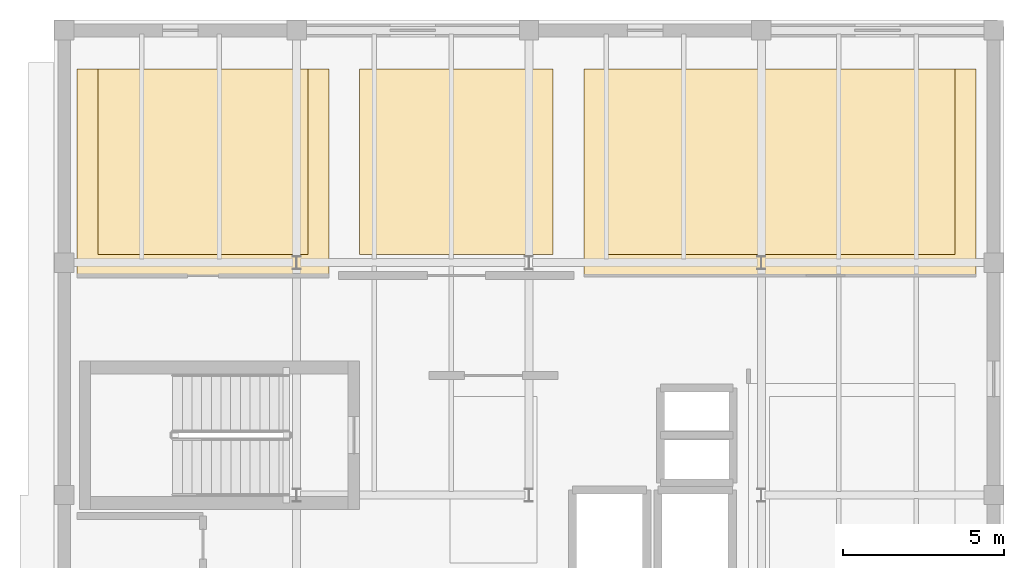
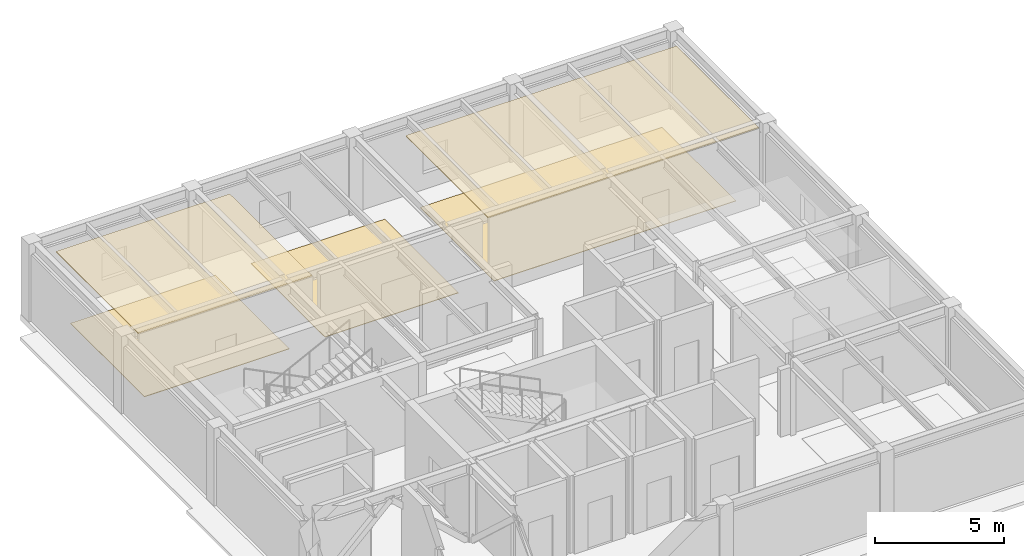
# One storey, part 8 of 8: 5 coverings.
"""IFC4 building model written with IfcOpenShell, lengths in metres."""

from ifc_helpers import new_model, si_unit, direction, frame, origin, place, context, subcontext, project, spatial, polyline, outline, extrude, material, layer, layer_set, type_object, element, save


model = new_model("IFC4")

# Units and contexts
model_context = context("Model", 3, precision=1e-05, world=origin(), true_north=direction((0.0, 1.0)))
body_context = subcontext(model_context, "Body", "Model", "MODEL_VIEW")
ifc_project = project(units=[si_unit("LENGTHUNIT", "METRE"), si_unit("AREAUNIT", "SQUARE_METRE"), si_unit("VOLUMEUNIT", "CUBIC_METRE"), si_unit("PLANEANGLEUNIT", "RADIAN"), si_unit("MASSUNIT", "GRAM", prefix="KILO")], contexts=[model_context])

# Site, building, storey
site_placement = place(None, origin())
site = spatial("IfcSite", under=ifc_project, at=site_placement, CompositionType="ELEMENT")
building_placement = place(site_placement, origin())
building = spatial("IfcBuilding", under=site, at=building_placement, Name="Kandorven Conservatory and Botanical Research Centre", CompositionType="ELEMENT")
storey_placement = place(building_placement, frame((0.0, 0.0, 40.5)))
storey = spatial("IfcBuildingStorey", under=building, at=storey_placement, Name="L10", CompositionType="ELEMENT", Elevation=40.5)

# Coverings
ifc_material_1 = material(Name="Perforated mineral-fibre acoustic ceiling tile", Category="gypsum")
ifc_layer_1 = layer(ifc_material_1, 0.0400390625)
ifc_layer_set_1 = layer_set([ifc_layer_1], Name="Perforated mineral-fibre acoustic ceiling tile")
covering_type_1 = type_object("IfcCoveringType", Name="Cov_Ceiling_1", PredefinedType="CEILING", material=ifc_layer_set_1)
covering_1_placement = place(storey_placement, frame((0.0, 0.0, 3.6201171875)))
element("IfcCovering", 1, at=covering_1_placement, inside=storey, type_object=covering_type_1, Name="Suspended acoustic ceiling CLG-01 (Ethnobotany Field Specimen Studio L10)", PredefinedType="CEILING", context=body_context, shape_type="SweptSolid", body=[
    extrude(outline(polyline([(6.39990234375, 27.199951171875), (14.199951171875, 27.199951171875), (14.199951171875, 33.60009765625), (6.39990234375, 33.60009765625), (6.39990234375, 27.199951171875)])), origin(), (0.0, 0.0, 1.0), 0.039794921875),
])
covering_2_placement = place(storey_placement, frame((0.0, 0.0, 3.6201171875)))
element("IfcCovering", 2, at=covering_2_placement, inside=storey, type_object=covering_type_1, Name="Suspended acoustic ceiling CLG-01 (Palynology Research Laboratory L10)", PredefinedType="CEILING", context=body_context, shape_type="SweptSolid", body=[
    extrude(outline(polyline([(22.10009765625, 27.199951171875), (34.25, 27.199951171875), (34.25, 33.60009765625), (22.10009765625, 33.60009765625), (22.10009765625, 27.199951171875)])), origin(), (0.0, 0.0, 1.0), 0.039794921875),
])
ifc_material_2 = material(Name="Honed Kota stone and epoxy laboratory flooring", Category="masonry")
ifc_layer_2 = layer(ifc_material_2, 0.02490234375)
ifc_layer_set_2 = layer_set([ifc_layer_2], Name="Honed Kota stone and epoxy laboratory flooring")
covering_type_2 = type_object("IfcCoveringType", Name="Cov_Flooring_1", PredefinedType="FLOORING", material=ifc_layer_set_2)
covering_3_placement = place(storey_placement, origin())
element("IfcCovering", 3, at=covering_3_placement, inside=storey, type_object=covering_type_2, Name="Floor finish FLR-01 (Ethnobotany Field Specimen Studio L10)", PredefinedType="FLOORING", context=body_context, shape_type="SweptSolid", body=[
    extrude(outline(polyline([(7.050048828125, 27.85009765625), (13.550048828125, 27.85009765625), (13.550048828125, 33.60009765625), (7.050048828125, 33.60009765625), (7.050048828125, 27.85009765625)])), origin(), (0.0, 0.0, 1.0), 0.02490234375),
])
covering_4_placement = place(storey_placement, origin())
element("IfcCovering", 4, at=covering_4_placement, inside=storey, type_object=covering_type_2, Name="Floor finish FLR-01 (Herbarium Cryptogamic Collection Archive L10)", PredefinedType="FLOORING", context=body_context, shape_type="SweptSolid", body=[
    extrude(outline(polyline([(15.14990234375, 27.85009765625), (21.14990234375, 27.85009765625), (21.14990234375, 33.60009765625), (15.14990234375, 33.60009765625), (15.14990234375, 27.85009765625)])), origin(), (0.0, 0.0, 1.0), 0.02490234375),
])
covering_5_placement = place(storey_placement, origin())
element("IfcCovering", 5, at=covering_5_placement, inside=storey, type_object=covering_type_2, Name="Floor finish FLR-01 (Palynology Research Laboratory L10)", PredefinedType="FLOORING", context=body_context, shape_type="SweptSolid", body=[
    extrude(outline(polyline([(22.75, 27.85009765625), (33.60009765625, 27.85009765625), (33.60009765625, 33.60009765625), (22.75, 33.60009765625), (22.75, 27.85009765625)])), origin(), (0.0, 0.0, 1.0), 0.02490234375),
])

save(model, "model.ifc")
